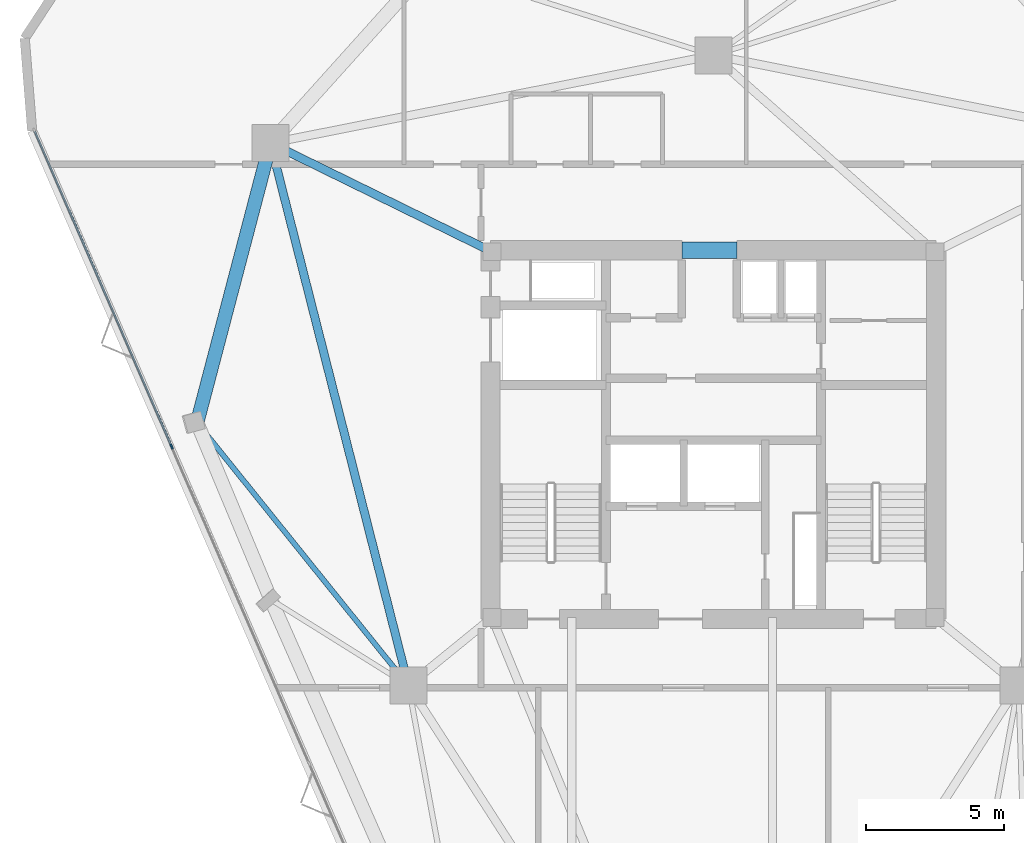
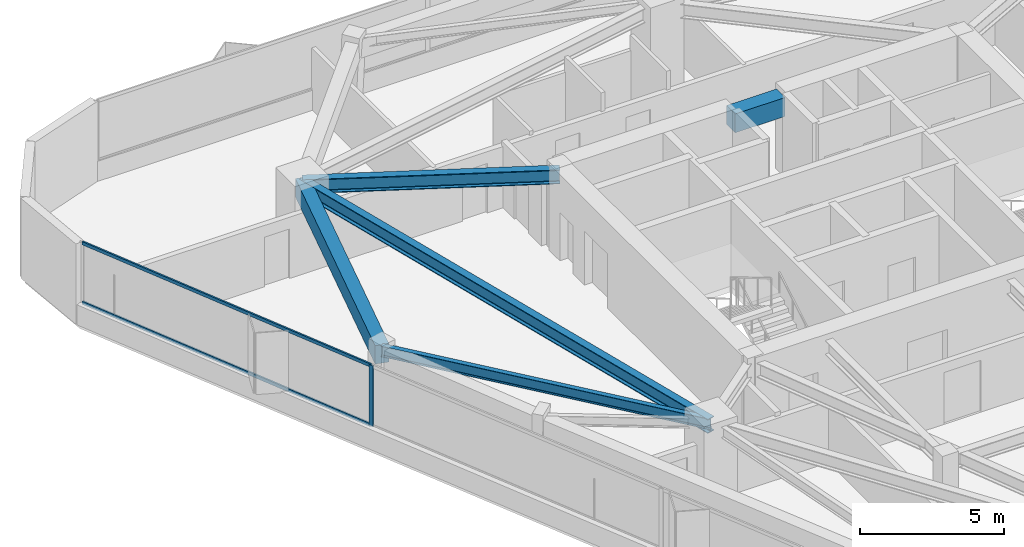
# One storey, part 6 of 12: 5 beams, 3 members, 1 element without a shape of its own.
"""IFC4 building model written with IfcOpenShell, lengths in metres."""

from ifc_helpers import new_model, si_unit, direction, frame, origin, origin_2d, place, context, subcontext, project, spatial, rectangle, i_section, extrude, material, layer, layer_set, material_profile, profile_set, type_object, element, aggregate, save


model = new_model("IFC4")

# Units and contexts
model_context = context("Model", 3, precision=1e-05, world=origin(), true_north=direction((0.0, 1.0)))
body_context = subcontext(model_context, "Body", "Model", "MODEL_VIEW")
ifc_project = project(units=[si_unit("LENGTHUNIT", "METRE"), si_unit("AREAUNIT", "SQUARE_METRE"), si_unit("VOLUMEUNIT", "CUBIC_METRE"), si_unit("PLANEANGLEUNIT", "RADIAN"), si_unit("MASSUNIT", "GRAM", prefix="KILO")], contexts=[model_context])

# Site, building, storey
site_placement = place(None, origin())
site = spatial("IfcSite", under=ifc_project, at=site_placement, CompositionType="ELEMENT")
building_placement = place(site_placement, origin())
building = spatial("IfcBuilding", under=site, at=building_placement, Name="Talyreon Biosciences Tower", CompositionType="ELEMENT")
storey_placement = place(building_placement, frame((0.0, 0.0, 215.89990234375)))
storey = spatial("IfcBuildingStorey", under=building, at=storey_placement, Name="L57", CompositionType="ELEMENT", Elevation=215.89990234375)

# Curtain wall, members
ifc_material_1 = material(Name="Thermally broken aluminium and low-E glazing", Category="aluminium")
ifc_layer = layer(ifc_material_1, 0.179931640625)
ifc_layer_set = layer_set([ifc_layer], Name="Thermally broken aluminium and low-E glazing")
curtain_wall_type = type_object("IfcCurtainWallType", Name="CurtainWall_Zone4Optical", PredefinedType="NOTDEFINED", material=ifc_layer_set)
curtain_wall_placement = place(storey_placement, origin())
curtain_wall = element("IfcCurtainWall", 1, at=curtain_wall_placement, inside=storey, type_object=curtain_wall_type, Name="L57 Unitised Curtain Wall FCW-L57-00", PredefinedType="NOTDEFINED")
ifc_material_2 = material(Name="Anodised thermally broken aluminium", Category="aluminium")
ifc_material_profile_1 = material_profile(ifc_material_2, rectangle(XDim=0.06494140625, YDim=0.179931640625, at=origin_2d()), Name="ALUM MULLION 65x180")
ifc_profile_set_1 = profile_set([ifc_material_profile_1], Name="Anodised thermally broken aluminium")
member_type_1 = type_object("IfcMemberType", Name="CWMullion_65x180", PredefinedType="MULLION", material=ifc_profile_set_1)
member_1_placement = place(storey_placement, frame((46.3037109375, 67.566650390625, 0.81005859375), z_axis=(0.0, 0.0, 1.0), x_axis=(-0.917221993355, -0.398376473835, 0.0)))
member_1 = element("IfcMember", 2, at=member_1_placement, type_object=member_type_1, Name="CW5 mullion 4", PredefinedType="MULLION", context=body_context, shape_type="SweptSolid", body=[
    extrude(rectangle(XDim=0.06494140625, YDim=0.179931640625, at=origin_2d()), origin(), (0.0, 0.0, 1.0), 2.590087890625),
])
ifc_material_profile_2 = material_profile(ifc_material_2, rectangle(XDim=0.06494140625, YDim=0.139892578125, at=origin_2d()), Name="ALUM TRANSOM 65x140")
ifc_profile_set_2 = profile_set([ifc_material_profile_2], Name="Anodised thermally broken aluminium")
member_type_2 = type_object("IfcMemberType", Name="CWTransom_65x140", PredefinedType="USERDEFINED", material=ifc_profile_set_2)
member_2_placement = place(storey_placement, frame((46.290771484375, 67.596435546875, 0.842529296875), z_axis=(-0.398376978135, 0.917221774323, 0.0), x_axis=(-0.917221774323, -0.398376978135, 0.0)))
member_2 = element("IfcMember", 3, at=member_2_placement, type_object=member_type_2, Name="CW5 transom 4.1", ObjectType="TRANSOM", PredefinedType="USERDEFINED", context=body_context, shape_type="SweptSolid", body=[
    extrude(rectangle(XDim=0.06494140625, YDim=0.139892578125, at=origin_2d()), origin(), (0.0, 0.0, 1.0), 12.453369140625),
])
member_3_placement = place(storey_placement, frame((46.290771484375, 67.596435546875, 3.36767578125), z_axis=(-0.398376978135, 0.917221774323, 0.0), x_axis=(-0.917221774323, -0.398376978135, 0.0)))
member_3 = element("IfcMember", 4, at=member_3_placement, type_object=member_type_2, Name="CW5 transom 4.2", ObjectType="TRANSOM", PredefinedType="USERDEFINED", context=body_context, shape_type="SweptSolid", body=[
    extrude(rectangle(XDim=0.06494140625, YDim=0.139892578125, at=origin_2d()), origin(), (0.0, 0.0, 1.0), 12.453369140625),
])
aggregate(curtain_wall, [member_1, member_2, member_3])

# Beams
ifc_material_3 = material(Name="Concrete C50/60", Category="concrete")
ifc_material_profile_3 = material_profile(ifc_material_3, rectangle(XDim=0.60009765625, YDim=0.800048828125, at=origin_2d()), Name="RCB 600x800")
ifc_profile_set_3 = profile_set([ifc_material_profile_3], Name="Concrete C50/60")
beam_type_1 = type_object("IfcBeamType", Name="CoreCouplingLintel_600x800", PredefinedType="LINTEL", material=ifc_profile_set_3)
beam_1_placement = place(storey_placement, frame((64.85009765625, 74.699951171875, 3.0), z_axis=(1.0, 0.0, 0.0), x_axis=(0.0, 1.0, 0.0)))
element("IfcBeam", 5, at=beam_1_placement, inside=storey, type_object=beam_type_1, Name="L57 Core Coupling Lintel", PredefinedType="LINTEL", context=body_context, shape_type="SweptSolid", body=[
    extrude(rectangle(XDim=0.60009765625, YDim=0.800048828125, at=origin_2d()), origin(), (0.0, 0.0, 1.0), 2.0),
])
ifc_material_4 = material(Name="Precast concrete C45/55", Category="concrete")
ifc_material_profile_4 = material_profile(ifc_material_4, rectangle(XDim=0.5, YDim=0.780029296875, at=origin_2d()), Name="RCB 500x780")
ifc_profile_set_4 = profile_set([ifc_material_profile_4], Name="Precast concrete C45/55")
beam_type_2 = type_object("IfcBeamType", Name="ExpressedSpandrel_500x780", PredefinedType="SPANDREL", material=ifc_profile_set_4)
beam_2_placement = place(storey_placement, frame((49.897705078125, 78.5986328125, 3.010009765625), z_axis=(-0.253979890568, -0.967209499119, 0.0), x_axis=(0.967209499119, -0.253979890568, 0.0)))
element("IfcBeam", 6, at=beam_2_placement, inside=storey, type_object=beam_type_2, Name="L57 Expressed Horizontal Concrete Spandrel 09", PredefinedType="SPANDREL", context=body_context, shape_type="SweptSolid", body=[
    extrude(rectangle(XDim=0.5, YDim=0.780029296875, at=origin_2d()), origin(), (0.0, 0.0, 1.0), 10.510498046875),
])
ifc_material_5 = material(Name="Steel SM355", Category="steel")
ifc_material_profile_5 = material_profile(ifc_material_5, i_section(OverallWidth=0.300048828125, OverallDepth=0.60009765625, WebThickness=0.015380859375, FlangeThickness=0.030029296875, FilletRadius=0.027099609375, at=origin_2d()), Name="HE600B")
ifc_profile_set_5 = profile_set([ifc_material_profile_5], Name="Steel SM355")
beam_type_3 = type_object("IfcBeamType", Name="SteelBeam_HE600B", PredefinedType="BEAM", material=ifc_profile_set_5)
beam_3_placement = place(storey_placement, frame((49.897705078125, 78.5986328125, 3.10009765625), z_axis=(0.246537082299, -0.969133358755, 0.0), x_axis=(0.969133358755, 0.246537082299, 0.0)))
element("IfcBeam", 7, at=beam_3_placement, inside=storey, type_object=beam_type_3, Name="L57 Mega-Ring Girder 5", PredefinedType="BEAM", context=body_context, shape_type="SweptSolid", body=[
    extrude(i_section(OverallWidth=0.300048828125, OverallDepth=0.60009765625, WebThickness=0.015380859375, FlangeThickness=0.030029296875, FilletRadius=0.027099609375, at=origin_2d()), origin(), (0.0, 0.0, 1.0), 20.34619140625),
])
beam_4_placement = place(storey_placement, frame((57.949951171875, 74.64990234375, 3.10009765625), z_axis=(-0.897852360314, 0.440296648952, 0.0), x_axis=(-0.440296648952, -0.897852360314, 0.0)))
element("IfcBeam", 8, at=beam_4_placement, inside=storey, type_object=beam_type_3, Name="L57 Radial Primary Girder 5", PredefinedType="BEAM", context=body_context, shape_type="SweptSolid", body=[
    extrude(i_section(OverallWidth=0.300048828125, OverallDepth=0.60009765625, WebThickness=0.015380859375, FlangeThickness=0.030029296875, FilletRadius=0.027099609375, at=origin_2d()), origin(), (0.0, 0.0, 1.0), 8.96826171875),
])
ifc_material_profile_6 = material_profile(ifc_material_5, i_section(OverallWidth=0.18994140625, OverallDepth=0.449951171875, WebThickness=0.009521484375, FlangeThickness=0.0146484375, FilletRadius=0.02099609375, at=origin_2d()), Name="IPE450")
ifc_profile_set_6 = profile_set([ifc_material_profile_6], Name="Steel SM355")
beam_type_4 = type_object("IfcBeamType", Name="SteelJoist_IPE450", PredefinedType="JOIST", material=ifc_profile_set_6)
beam_5_placement = place(storey_placement, frame((54.913818359375, 58.88037109375, 3.175048828125), z_axis=(-0.626858781353, 0.779132895108, 0.0), x_axis=(-0.779132895108, -0.626858781353, 0.0)))
element("IfcBeam", 9, at=beam_5_placement, inside=storey, type_object=beam_type_4, Name="L57 Radial Composite Floor Joist PC-SW1", PredefinedType="JOIST", context=body_context, shape_type="SweptSolid", body=[
    extrude(i_section(OverallWidth=0.18994140625, OverallDepth=0.449951171875, WebThickness=0.009521484375, FlangeThickness=0.0146484375, FilletRadius=0.02099609375, at=origin_2d()), origin(), (0.0, 0.0, 1.0), 12.260498046875),
])

save(model, "model.ifc")
